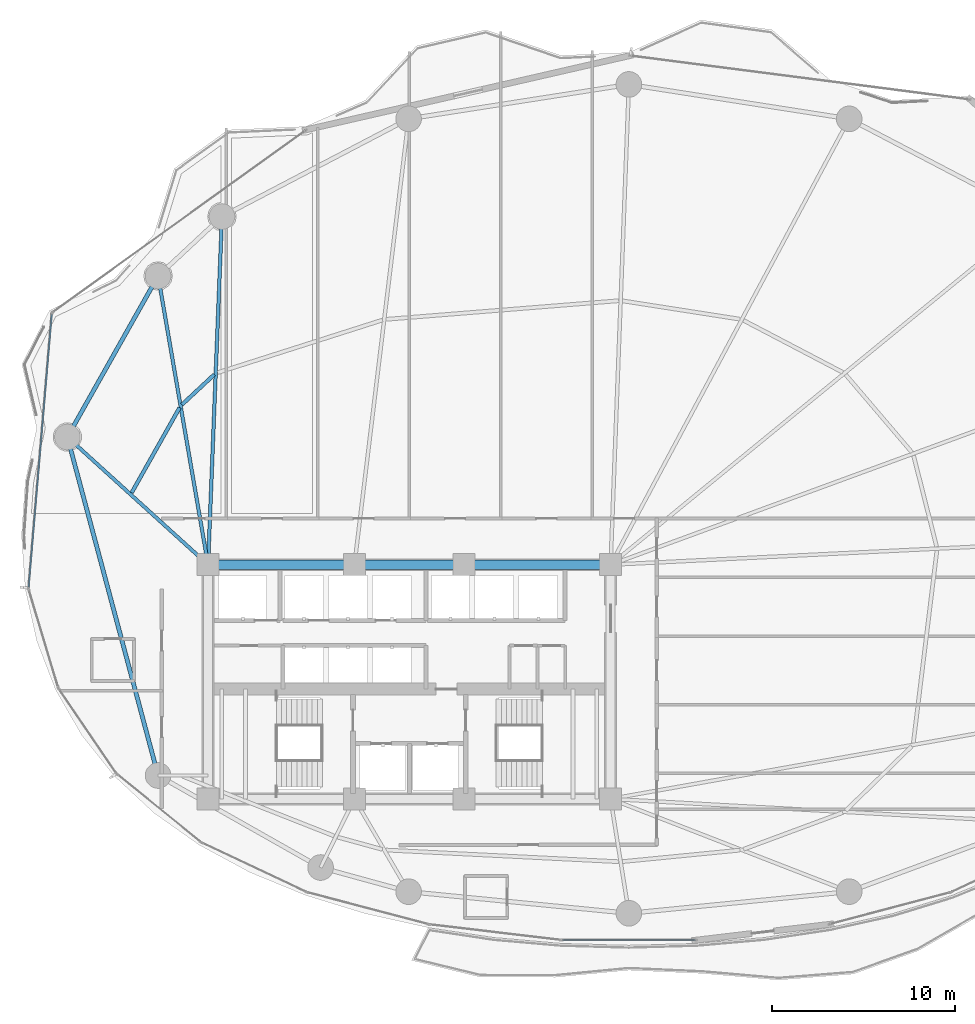
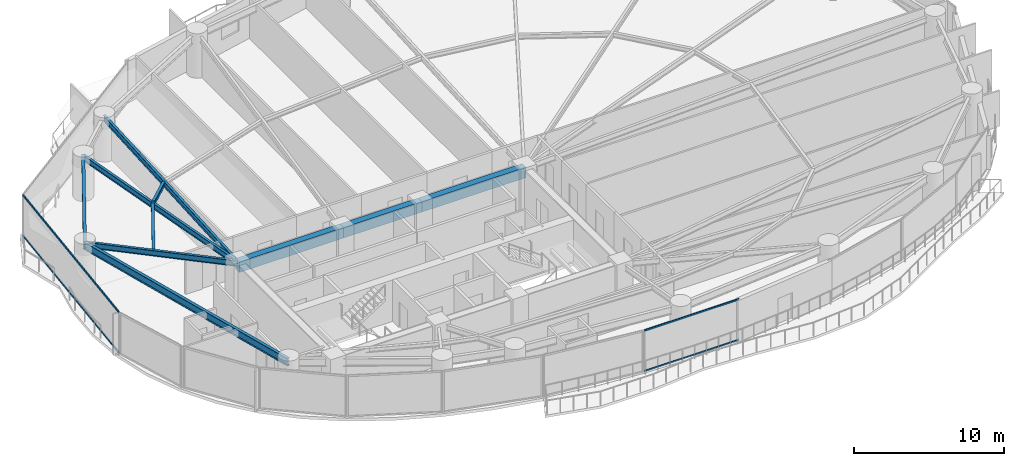
# One storey, part 9 of 30: 10 beams, 4 members, 2 elements without a shape of their own.
"""IFC4 building model written with IfcOpenShell, lengths in metres."""

from ifc_helpers import new_model, si_unit, direction, frame, origin, origin_2d, place, context, subcontext, project, spatial, rectangle, hollow_rectangle, i_section, extrude, material, layer, layer_set, material_profile, profile_set, type_object, element, aggregate, save


model = new_model("IFC4")

# Units and contexts
model_context = context("Model", 3, precision=1e-05, world=origin(), true_north=direction((0.0, 1.0)))
body_context = subcontext(model_context, "Body", "Model", "MODEL_VIEW")
ifc_project = project(units=[si_unit("LENGTHUNIT", "METRE"), si_unit("AREAUNIT", "SQUARE_METRE"), si_unit("VOLUMEUNIT", "CUBIC_METRE"), si_unit("PLANEANGLEUNIT", "RADIAN"), si_unit("MASSUNIT", "GRAM", prefix="KILO")], contexts=[model_context])

# Site, building, storey
site_placement = place(None, origin())
site = spatial("IfcSite", under=ifc_project, at=site_placement, CompositionType="ELEMENT")
building_placement = place(site_placement, origin())
building = spatial("IfcBuilding", under=site, at=building_placement, Name="Kazevale Care Tower and Concert Hall", CompositionType="ELEMENT")
storey_placement = place(building_placement, frame((0.0, 0.0, 74.39990234375)))
storey = spatial("IfcBuildingStorey", under=building, at=storey_placement, Name="L19", CompositionType="ELEMENT", Elevation=74.39990234375)

# Curtain wall, members
ifc_material_1 = material(Name="Aluminium 6063-T6 and Low-E Glass", Category="aluminium")
ifc_layer_1 = layer(ifc_material_1, 0.179931640625)
ifc_layer_set_1 = layer_set([ifc_layer_1], Name="Aluminium 6063-T6 and Low-E Glass")
curtain_wall_type_1 = type_object("IfcCurtainWallType", Name="Waist & Upper Residential Curtain Wall CW-4", PredefinedType="NOTDEFINED", material=ifc_layer_set_1)
curtain_wall_1_placement = place(storey_placement, origin())
curtain_wall_1 = element("IfcCurtainWall", 1, at=curtain_wall_1_placement, inside=storey, type_object=curtain_wall_type_1, Name="cw:L19:f13", PredefinedType="NOTDEFINED")
ifc_material_2 = material(Name="Aluminium 6063-T6", Category="aluminium")
ifc_material_profile_1 = material_profile(ifc_material_2, hollow_rectangle(XDim=0.080078125, YDim=0.139892578125, WallThickness=0.00390625, at=origin_2d()), Name="ALU80x140x4")
ifc_profile_set_1 = profile_set([ifc_material_profile_1], Name="Aluminium 6063-T6")
member_type_1 = type_object("IfcMemberType", Name="CW-4 Transom ALU80x140x4", PredefinedType="USERDEFINED", material=ifc_profile_set_1)
member_1_placement = place(storey_placement, frame((12.19384765625, 35.170654296875, 0.0400390625), z_axis=(0.084408766115, 0.996431211977, 0.0), x_axis=(-0.996431211977, 0.084408766115, 0.0)))
member_1 = element("IfcMember", 2, at=member_1_placement, type_object=member_type_1, Name="CW-4 transom 1.1", ObjectType="TRANSOM", PredefinedType="USERDEFINED", context=body_context, shape_type="SweptSolid", body=[
    extrude(hollow_rectangle(XDim=0.080078125, YDim=0.139892578125, WallThickness=0.00390625, at=origin_2d()), origin(), (0.0, 0.0, 1.0), 14.968017578125),
])
member_2_placement = place(storey_placement, frame((12.19384765625, 35.170654296875, 3.320068359375), z_axis=(0.084408766115, 0.996431211977, 0.0), x_axis=(-0.996431211977, 0.084408766115, 0.0)))
member_2 = element("IfcMember", 3, at=member_2_placement, type_object=member_type_1, Name="CW-4 transom 1.2", ObjectType="TRANSOM", PredefinedType="USERDEFINED", context=body_context, shape_type="SweptSolid", body=[
    extrude(hollow_rectangle(XDim=0.080078125, YDim=0.139892578125, WallThickness=0.00390625, at=origin_2d()), origin(), (0.0, 0.0, 1.0), 14.968017578125),
])
aggregate(curtain_wall_1, [member_1, member_2])

ifc_layer_2 = layer(ifc_material_1, 0.179931640625)
ifc_layer_set_2 = layer_set([ifc_layer_2], Name="Aluminium 6063-T6 and Low-E Glass")
curtain_wall_type_2 = type_object("IfcCurtainWallType", Name="Sheltered Concave Balcony Curtain Wall CW-5", PredefinedType="NOTDEFINED", material=ifc_layer_set_2)
curtain_wall_2_placement = place(storey_placement, origin())
curtain_wall_2 = element("IfcCurtainWall", 4, at=curtain_wall_2_placement, inside=storey, type_object=curtain_wall_type_2, Name="cw:L19:f06", PredefinedType="NOTDEFINED")
ifc_material_profile_2 = material_profile(ifc_material_2, hollow_rectangle(XDim=0.074951171875, YDim=0.1201171875, WallThickness=0.00390625, at=origin_2d()), Name="ALU75x120x4")
ifc_profile_set_2 = profile_set([ifc_material_profile_2], Name="Aluminium 6063-T6")
member_type_2 = type_object("IfcMemberType", Name="CW-5 Transom ALU75x120x4", PredefinedType="USERDEFINED", material=ifc_profile_set_2)
member_3_placement = place(storey_placement, frame((48.632080078125, 15.885986328125, 0.03759765625), z_axis=(-1.0, 0.0, 0.0), x_axis=(0.0, -1.0, 0.0)))
member_3 = element("IfcMember", 5, at=member_3_placement, type_object=member_type_2, Name="CW-5 transom 1.1", ObjectType="TRANSOM", PredefinedType="USERDEFINED", context=body_context, shape_type="SweptSolid", body=[
    extrude(hollow_rectangle(XDim=0.074951171875, YDim=0.1201171875, WallThickness=0.00390625, at=origin_2d()), origin(), (0.0, 0.0, 1.0), 7.26416015625),
])
member_4_placement = place(storey_placement, frame((48.632080078125, 15.885986328125, 3.322509765625), z_axis=(-1.0, 0.0, 0.0), x_axis=(0.0, -1.0, 0.0)))
member_4 = element("IfcMember", 6, at=member_4_placement, type_object=member_type_2, Name="CW-5 transom 1.2", ObjectType="TRANSOM", PredefinedType="USERDEFINED", context=body_context, shape_type="SweptSolid", body=[
    extrude(hollow_rectangle(XDim=0.074951171875, YDim=0.1201171875, WallThickness=0.00390625, at=origin_2d()), origin(), (0.0, 0.0, 1.0), 7.26416015625),
])
aggregate(curtain_wall_2, [member_3, member_4])

# Beams
ifc_material_3 = material(Name="Concrete C60", Category="concrete")
ifc_material_profile_3 = material_profile(ifc_material_3, rectangle(XDim=0.5, YDim=0.85009765625, at=origin_2d()), Name="RC-B500x850")
ifc_profile_set_3 = profile_set([ifc_material_profile_3], Name="Concrete C60")
beam_type_1 = type_object("IfcBeamType", Name="Core Coupling Beam RC500x850", PredefinedType="LINTEL", material=ifc_profile_set_3)
beam_1_placement = place(storey_placement, frame((44.0, 36.39990234375, 2.93505859375), z_axis=(-1.0, 0.0, 0.0), x_axis=(0.0, -1.0, 0.0)))
element("IfcBeam", 7, at=beam_1_placement, inside=storey, type_object=beam_type_1, Name="beam:L19:coretie:5", PredefinedType="LINTEL", context=body_context, shape_type="SweptSolid", body=[
    extrude(rectangle(XDim=0.5, YDim=0.85009765625, at=origin_2d()), origin(), (0.0, 0.0, 1.0), 8.0),
])
beam_2_placement = place(storey_placement, frame((36.0, 36.39990234375, 2.93505859375), z_axis=(-1.0, 0.0, 0.0), x_axis=(0.0, -1.0, 0.0)))
element("IfcBeam", 8, at=beam_2_placement, inside=storey, type_object=beam_type_1, Name="beam:L19:coretie:6", PredefinedType="LINTEL", context=body_context, shape_type="SweptSolid", body=[
    extrude(rectangle(XDim=0.5, YDim=0.85009765625, at=origin_2d()), origin(), (0.0, 0.0, 1.0), 6.0),
])
beam_3_placement = place(storey_placement, frame((30.0, 36.39990234375, 2.93505859375), z_axis=(-1.0, 0.0, 0.0), x_axis=(0.0, -1.0, 0.0)))
element("IfcBeam", 9, at=beam_3_placement, inside=storey, type_object=beam_type_1, Name="beam:L19:coretie:7", PredefinedType="LINTEL", context=body_context, shape_type="SweptSolid", body=[
    extrude(rectangle(XDim=0.5, YDim=0.85009765625, at=origin_2d()), origin(), (0.0, 0.0, 1.0), 8.0),
])
ifc_material_4 = material(Name="Steel ASTM A572 Gr 50", Category="steel")
ifc_material_profile_4 = material_profile(ifc_material_4, i_section(OverallWidth=0.19091796875, OverallDepth=0.4599609375, WebThickness=0.010009765625, FlangeThickness=0.01611328125, at=origin_2d()), Name="W460x82")
ifc_profile_set_4 = profile_set([ifc_material_profile_4], Name="Steel ASTM A572 Gr 50")
beam_type_2 = type_object("IfcBeamType", Name="Radial Floor Beam W460x82", PredefinedType="BEAM", material=ifc_profile_set_4)
beam_4_placement = place(storey_placement, frame((22.0, 36.39990234375, 3.130126953125), z_axis=(0.039905581428, 0.999203455044, 0.0), x_axis=(-0.999203455044, 0.039905581428, 0.0)))
element("IfcBeam", 10, at=beam_4_placement, inside=storey, type_object=beam_type_2, Name="beam:L19:rad:07", PredefinedType="BEAM", context=body_context, shape_type="SweptSolid", body=[
    extrude(i_section(OverallWidth=0.19091796875, OverallDepth=0.4599609375, WebThickness=0.010009765625, FlangeThickness=0.01611328125, at=origin_2d()), origin(), (0.0, 0.0, 1.0), 19.045166015625),
])
beam_5_placement = place(storey_placement, frame((22.0, 36.39990234375, 3.130126953125), z_axis=(-0.170469986865, 0.985362868987, 0.0), x_axis=(-0.985362868987, -0.170469986865, 0.0)))
element("IfcBeam", 11, at=beam_5_placement, inside=storey, type_object=beam_type_2, Name="beam:L19:rad:08", PredefinedType="BEAM", context=body_context, shape_type="SweptSolid", body=[
    extrude(i_section(OverallWidth=0.19091796875, OverallDepth=0.4599609375, WebThickness=0.010009765625, FlangeThickness=0.01611328125, at=origin_2d()), origin(), (0.0, 0.0, 1.0), 16.014404296875),
])
beam_6_placement = place(storey_placement, frame((22.0, 36.39990234375, 3.130126953125), z_axis=(-0.740461073653, 0.672099247436, 0.0), x_axis=(-0.672099247436, -0.740461073653, 0.0)))
element("IfcBeam", 12, at=beam_6_placement, inside=storey, type_object=beam_type_2, Name="beam:L19:rad:09", PredefinedType="BEAM", context=body_context, shape_type="SweptSolid", body=[
    extrude(i_section(OverallWidth=0.19091796875, OverallDepth=0.4599609375, WebThickness=0.010009765625, FlangeThickness=0.01611328125, at=origin_2d()), origin(), (0.0, 0.0, 1.0), 10.38525390625),
])
ifc_material_profile_5 = material_profile(ifc_material_4, i_section(OverallWidth=0.22900390625, OverallDepth=0.612060546875, WebThickness=0.011962890625, FlangeThickness=0.01953125, at=origin_2d()), Name="W610x125")
ifc_profile_set_5 = profile_set([ifc_material_profile_5], Name="Steel ASTM A572 Gr 50")
beam_type_3 = type_object("IfcBeamType", Name="Ring Spandrel Beam W610x125", PredefinedType="SPANDREL", material=ifc_profile_set_5)
beam_7_placement = place(storey_placement, frame((19.27001953125, 52.179931640625, 3.05419921875), z_axis=(-0.491008061092, -0.87115502865, 0.0), x_axis=(0.87115502865, -0.491008061092, 0.0)))
element("IfcBeam", 13, at=beam_7_placement, inside=storey, type_object=beam_type_3, Name="beam:L19:ring:08", PredefinedType="SPANDREL", context=body_context, shape_type="SweptSolid", body=[
    extrude(i_section(OverallWidth=0.22900390625, OverallDepth=0.612060546875, WebThickness=0.011962890625, FlangeThickness=0.01953125, at=origin_2d()), origin(), (0.0, 0.0, 1.0), 10.1015625),
])
beam_8_placement = place(storey_placement, frame((14.31005859375, 43.3798828125, 3.05419921875), z_axis=(0.258960352031, -0.965887952133, 0.0), x_axis=(0.965887952133, 0.258960352031, 0.0)))
element("IfcBeam", 14, at=beam_8_placement, inside=storey, type_object=beam_type_3, Name="beam:L19:ring:09", PredefinedType="SPANDREL", context=body_context, shape_type="SweptSolid", body=[
    extrude(i_section(OverallWidth=0.22900390625, OverallDepth=0.612060546875, WebThickness=0.011962890625, FlangeThickness=0.01953125, at=origin_2d()), origin(), (0.0, 0.0, 1.0), 19.1533203125),
])
ifc_material_profile_6 = material_profile(ifc_material_4, i_section(OverallWidth=0.205078125, OverallDepth=0.35400390625, WebThickness=0.009521484375, FlangeThickness=0.016845703125, at=origin_2d()), Name="W360x79")
ifc_profile_set_6 = profile_set([ifc_material_profile_6], Name="Steel ASTM A572 Gr 50")
beam_type_4 = type_object("IfcBeamType", Name="Secondary Floor Joist W360x79", PredefinedType="JOIST", material=ifc_profile_set_6)
beam_9_placement = place(storey_placement, frame((22.341064453125, 46.794921875, 3.18310546875), z_axis=(-0.73194965424, -0.68135871878, 0.0), x_axis=(0.68135871878, -0.73194965424, 0.0)))
element("IfcBeam", 15, at=beam_9_placement, inside=storey, type_object=beam_type_4, Name="beam:L19:joist:07", PredefinedType="JOIST", context=body_context, shape_type="SweptSolid", body=[
    extrude(i_section(OverallWidth=0.205078125, OverallDepth=0.35400390625, WebThickness=0.009521484375, FlangeThickness=0.016845703125, at=origin_2d()), origin(), (0.0, 0.0, 1.0), 2.412841796875),
])
beam_10_placement = place(storey_placement, frame((20.447021484375, 44.988037109375, 3.18310546875), z_axis=(-0.490956987312, -0.871183813331, 0.0), x_axis=(0.871183813331, -0.490956987312, 0.0)))
element("IfcBeam", 16, at=beam_10_placement, inside=storey, type_object=beam_type_4, Name="beam:L19:joist:08", PredefinedType="JOIST", context=body_context, shape_type="SweptSolid", body=[
    extrude(i_section(OverallWidth=0.205078125, OverallDepth=0.35400390625, WebThickness=0.009521484375, FlangeThickness=0.016845703125, at=origin_2d()), origin(), (0.0, 0.0, 1.0), 5.3466796875),
])

save(model, "model.ifc")
